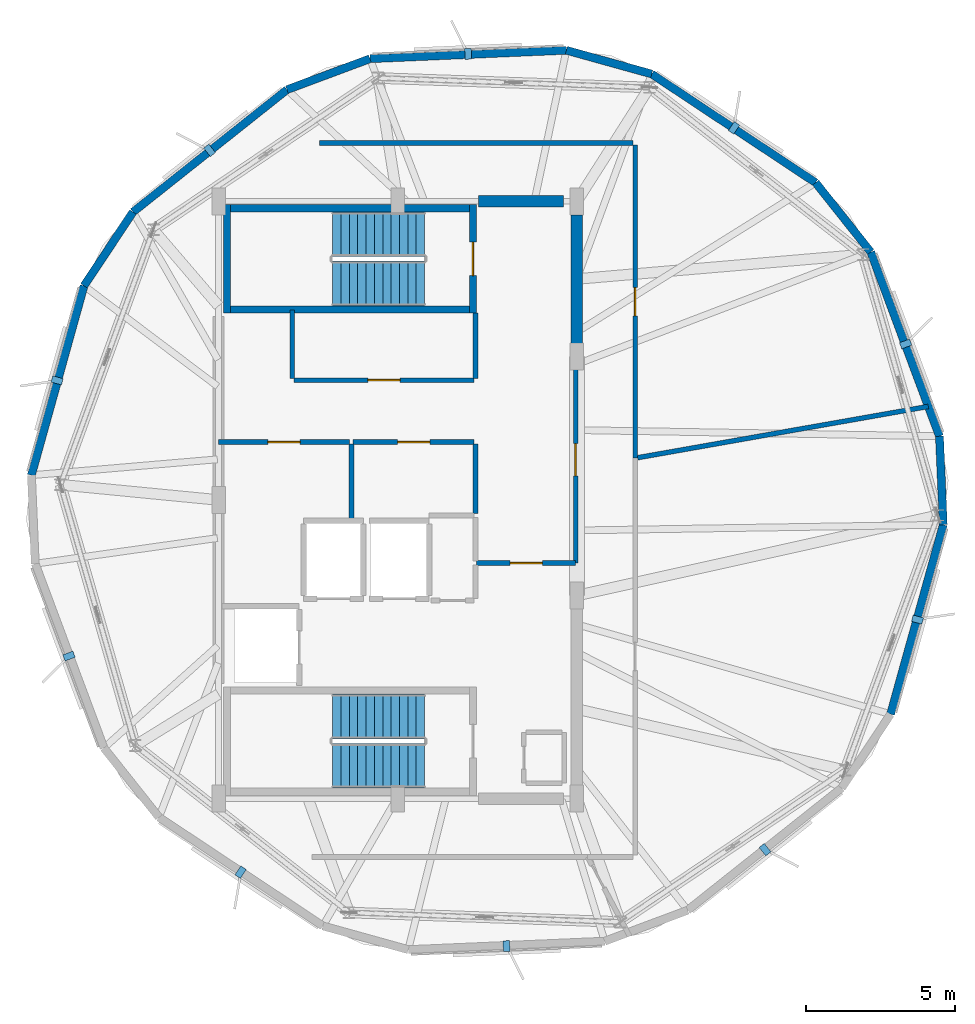
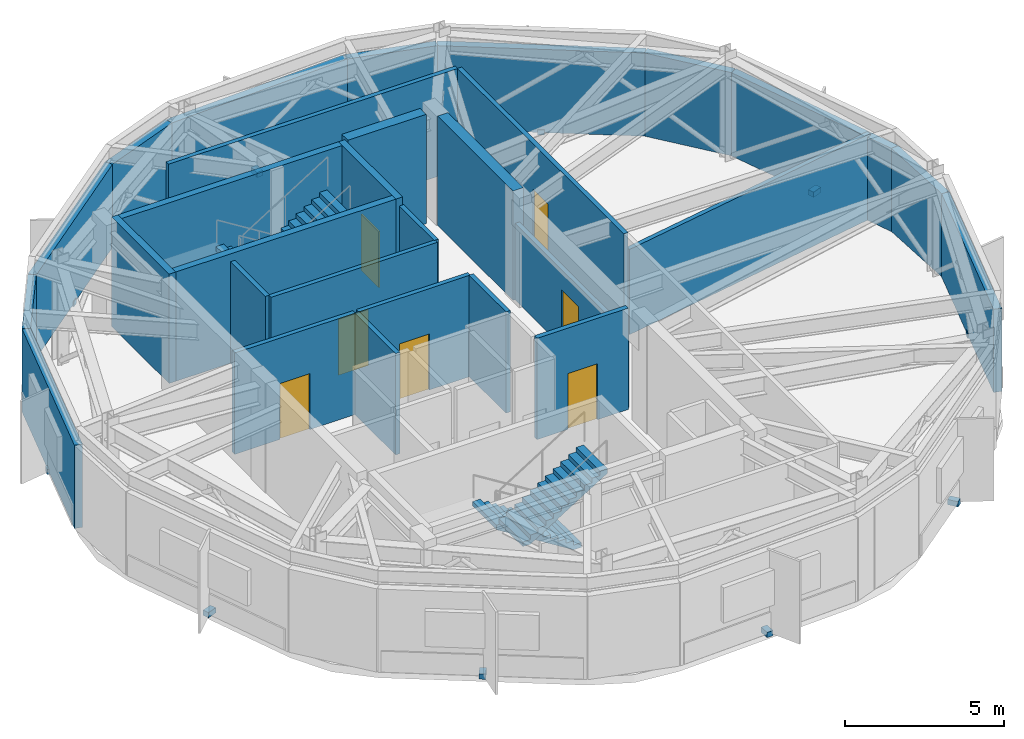
# One storey, part 4 of 6: 29 walls, 10 discrete accessories, 7 doors, 4 stair flights, 7 openings, 2 elements without a shape of their own.
"""IFC4 building model written with IfcOpenShell, lengths in metres."""

from ifc_helpers import new_model, si_unit, direction, frame, frame_2d, origin, origin_2d, place, context, subcontext, project, spatial, polyline, rectangle, outline, extrude, material, layer, layer_set, type_object, element, fill, aggregate, save


model = new_model("IFC4")

# Units and contexts
model_context = context("Model", 3, precision=1e-05, world=origin(), true_north=direction((0.0, 1.0)))
body_context = subcontext(model_context, "Body", "Model", "MODEL_VIEW")
ifc_project = project(units=[si_unit("LENGTHUNIT", "METRE"), si_unit("AREAUNIT", "SQUARE_METRE"), si_unit("VOLUMEUNIT", "CUBIC_METRE"), si_unit("PLANEANGLEUNIT", "RADIAN"), si_unit("MASSUNIT", "GRAM", prefix="KILO")], contexts=[model_context])

# Site, building, storey
site_placement = place(None, origin())
site = spatial("IfcSite", under=ifc_project, at=site_placement, CompositionType="ELEMENT")
building_placement = place(site_placement, origin())
building = spatial("IfcBuilding", under=site, at=building_placement, Name="Soratama Intermodal Tower", CompositionType="ELEMENT")
storey_placement = place(building_placement, frame((0.0, 0.0, 309.85009765625)))
storey = spatial("IfcBuildingStorey", under=building, at=storey_placement, Name="L78", CompositionType="ELEMENT", Elevation=309.85009765625)

# Walls
ifc_material_1 = material(Name="Concrete f'c 42 MPa", Category="concrete")
ifc_layer_1 = layer(ifc_material_1, 0.27001953125)
ifc_layer_set_1 = layer_set([ifc_layer_1], Name="Concrete f'c 42 MPa")
wall_type_1 = type_object("IfcWallType", Name="EW-CRN-270", PredefinedType="SOLIDWALL", material=ifc_layer_set_1)
wall_1_placement = place(storey_placement, frame((37.670166015625, 39.776611328125, 0.0), z_axis=(0.0, 0.0, 1.0), x_axis=(-0.936896155524, -0.349607771316, 0.0)))
element("IfcWall", 1, at=wall_1_placement, inside=storey, type_object=wall_type_1, Name="L78 Corner Closure Wall 01", PredefinedType="SOLIDWALL", context=body_context, shape_type="SweptSolid", body=[
    extrude(rectangle(XDim=2.966552734375, YDim=0.27001953125, at=frame_2d((1.4833984375, 0.0))), origin(), (0.0, 0.0, 1.0), 3.19482421875),
])
wall_2_placement = place(storey_placement, frame((44.248046875, 40.05908203125, 0.0), z_axis=(0.0, 0.0, 1.0), x_axis=(-0.999079243743, -0.042902968675, 0.0)))
element("IfcWall", 2, at=wall_2_placement, inside=storey, type_object=wall_type_1, Name="L78 Plant Wall F01", PredefinedType="SOLIDWALL", context=body_context, shape_type="SweptSolid", body=[
    extrude(rectangle(XDim=6.583984375, YDim=0.27001953125, at=frame_2d((3.2919921875, 0.0))), origin(), (0.0, 0.0, 1.0), 3.19482421875),
])
wall_3_placement = place(storey_placement, frame((29.7353515625, 34.64453125, 0.0), z_axis=(0.0, 0.0, 1.0), x_axis=(-0.552533308553, -0.833490817549, 0.0)))
element("IfcWall", 3, at=wall_3_placement, inside=storey, type_object=wall_type_1, Name="L78 Corner Closure Wall 02", PredefinedType="SOLIDWALL", context=body_context, shape_type="SweptSolid", body=[
    extrude(rectangle(XDim=2.966552734375, YDim=0.27001953125, at=frame_2d((1.4833984375, 0.0))), origin(), (0.0, 0.0, 1.0), 3.19482421875),
])
for number, where, z_axis, x_axis, name in (
    (4, (34.890869140625, 38.739501953125, 0.0), (0.0, 0.0, 1.0), (-0.78304551323, -0.621964407511, 0.0), "L78 Plant Wall F02"),
    (5, (28.09619140625, 32.171875, 0.0), (0.0, 0.0, 1.0), (-0.267911603024, -0.963443497547, 0.0), "L78 Plant Wall F03"),
):
    element("IfcWall", number, at=place(storey_placement, frame(where, z_axis=z_axis, x_axis=x_axis)), inside=storey, type_object=wall_type_1, Name=name, PredefinedType="SOLIDWALL", context=body_context, shape_type="SweptSolid", body=[
        extrude(rectangle(XDim=6.583984375, YDim=0.27001953125, at=frame_2d((3.2919921875, 0.0))), origin(), (0.0, 0.0, 1.0), 3.19482421875),
    ])
wall_4_placement = place(storey_placement, frame((56.86767578125, 24.17138671875, 0.0), z_axis=(0.0, 0.0, 1.0), x_axis=(-0.042880039447, 0.999080228118, 0.0)))
element("IfcWall", 6, at=wall_4_placement, inside=storey, type_object=wall_type_1, Name="L78 Corner Closure Wall 08", PredefinedType="SOLIDWALL", context=body_context, shape_type="SweptSolid", body=[
    extrude(rectangle(XDim=2.96630859375, YDim=0.27001953125, at=frame_2d((1.483154296875, 0.0))), origin(), (0.0, 0.0, 1.0), 3.19482421875),
])
wall_5_placement = place(storey_placement, frame((55.103759765625, 17.828125, 0.0), z_axis=(0.0, 0.0, 1.0), x_axis=(0.267911603024, 0.963443497547, 0.0)))
element("IfcWall", 7, at=wall_5_placement, inside=storey, type_object=wall_type_1, Name="L78 Plant Wall F08", PredefinedType="SOLIDWALL", context=body_context, shape_type="SweptSolid", body=[
    extrude(rectangle(XDim=6.583984375, YDim=0.27001953125, at=frame_2d((3.2919921875, 0.0))), origin(), (0.0, 0.0, 1.0), 3.19482421875),
])
wall_6_placement = place(storey_placement, frame((54.43896484375, 33.3037109375, 0.0), z_axis=(0.0, 0.0, 1.0), x_axis=(-0.621981590469, 0.783031864688, 0.0)))
element("IfcWall", 8, at=wall_6_placement, inside=storey, type_object=wall_type_1, Name="L78 Corner Closure Wall 09", PredefinedType="SOLIDWALL", context=body_context, shape_type="SweptSolid", body=[
    extrude(rectangle(XDim=2.966552734375, YDim=0.27001953125, at=frame_2d((1.4833984375, 0.0))), origin(), (0.0, 0.0, 1.0), 3.19482421875),
])
wall_7_placement = place(storey_placement, frame((56.740478515625, 27.135009765625, 0.0), z_axis=(0.0, 0.0, 1.0), x_axis=(-0.349558456509, 0.936914556127, 0.0)))
element("IfcWall", 9, at=wall_7_placement, inside=storey, type_object=wall_type_1, Name="L78 Plant Wall F09", PredefinedType="SOLIDWALL", context=body_context, shape_type="SweptSolid", body=[
    extrude(rectangle(XDim=6.583984375, YDim=0.27001953125, at=frame_2d((3.2919921875, 0.0))), origin(), (0.0, 0.0, 1.0), 3.19482421875),
])
wall_8_placement = place(storey_placement, frame((47.106201171875, 39.264404296875, 0.0), z_axis=(0.0, 0.0, 1.0), x_axis=(-0.963453034004, 0.267877306371, 0.0)))
element("IfcWall", 10, at=wall_8_placement, inside=storey, type_object=wall_type_1, Name="L78 Corner Closure Wall 10", PredefinedType="SOLIDWALL", context=body_context, shape_type="SweptSolid", body=[
    extrude(rectangle(XDim=2.966552734375, YDim=0.27001953125, at=frame_2d((1.4833984375, 0.0))), origin(), (0.0, 0.0, 1.0), 3.19482421875),
])
wall_9_placement = place(storey_placement, frame((52.59375, 35.626708984375, 0.0), z_axis=(0.0, 0.0, 1.0), x_axis=(-0.833496513383, 0.55252471635, 0.0)))
element("IfcWall", 11, at=wall_9_placement, inside=storey, type_object=wall_type_1, Name="L78 Plant Wall F10", PredefinedType="SOLIDWALL", context=body_context, shape_type="SweptSolid", body=[
    extrude(rectangle(XDim=6.583740234375, YDim=0.27001953125, at=frame_2d((3.2919921875, 0.0))), origin(), (0.0, 0.0, 1.0), 3.19482421875),
])

# Wall, opening, door
ifc_material_2 = material(Name="Fire-rated gypsum stud partition", Category="concrete")
ifc_layer_2 = layer(ifc_material_2, 0.159912109375)
ifc_layer_set_2 = layer_set([ifc_layer_2], Name="Fire-rated gypsum stud partition")
wall_type_2 = type_object("IfcWallType", Name="IW-PART-R160", PredefinedType="PARTITIONING", material=ifc_layer_set_2)
wall_10_placement = place(storey_placement, frame((46.550048828125, 36.8798828125, 0.0), z_axis=(0.0, 0.0, 1.0), x_axis=(0.0, -1.0, 0.0)))
wall_10 = element("IfcWall", 12, at=wall_10_placement, inside=storey, type_object=wall_type_2, Name="L78 Partition W-L78-TP002", PredefinedType="PARTITIONING", context=body_context, shape_type="SweptSolid", body=[
    extrude(rectangle(XDim=10.47900390625, YDim=0.159912109375, at=frame_2d((5.239501953125, 0.0))), origin(), (0.0, 0.0, 1.0), 3.89501953125),
])
opening_1_placement = place(wall_10_placement, frame((4.764892578125, 0.0, 0.0)))
opening_1 = element("IfcOpeningElement", 13, at=opening_1_placement, cuts=wall_10, Name="Opening ID-3", PredefinedType="OPENING", context=body_context, shape_type="SweptSolid", body=[
    extrude(rectangle(XDim=0.949951171875, YDim=2.14990234375, at=frame_2d((0.47509765625, 1.074951171875))), frame((0.0, 0.08984375, 0.0), z_axis=(0.0, -1.0, 0.0), x_axis=(1.0, 0.0, 0.0)), (0.0, 0.0, 1.0), 0.179931640625),
])
ifc_material_3 = material(Name="Solid hardwood acoustic door", Category="wood")
door_type_1 = type_object("IfcDoorType", Name="DR-ROOM-950", OperationType="NOTDEFINED", PredefinedType="DOOR", material=ifc_material_3)
door_1_placement = place(opening_1_placement, origin())
door_1 = element("IfcDoor", 14, at=door_1_placement, inside=storey, type_object=door_type_1, Name="L78 Door D-L78-TP002", OperationType="SINGLE_SWING_LEFT", OverallHeight=2.14990234375, OverallWidth=0.949951171875, PredefinedType="DOOR", context=body_context, shape_type="SweptSolid", body=[
    extrude(rectangle(XDim=0.949951171875, YDim=2.14990234375, at=frame_2d((0.47509765625, 1.074951171875))), frame((0.0, 0.02490234375, 0.0), z_axis=(0.0, -1.0, 0.0), x_axis=(1.0, 0.0, 0.0)), (0.0, 0.0, 1.0), 0.050048828125),
])
fill(opening_1, door_1)

# Wall
wall_11_placement = place(storey_placement, frame((56.367919921875, 28.133056640625, 0.0), z_axis=(0.0, 0.0, 1.0), x_axis=(-0.984798721817, -0.173699388337, 0.0)))
element("IfcWall", 15, at=wall_11_placement, inside=storey, type_object=wall_type_2, Name="L78 Partition W-L78-TP003", PredefinedType="PARTITIONING", context=body_context, shape_type="SweptSolid", body=[
    extrude(rectangle(XDim=9.885009765625, YDim=0.159912109375, at=frame_2d((4.9423828125, 0.0))), origin(), (0.0, 0.0, 1.0), 3.27294921875),
])

# Wall, opening, door
wall_12_placement = place(storey_placement, frame((44.56005859375, 29.800048828125, 0.0), z_axis=(0.0, 0.0, 1.0), x_axis=(0.0, -1.0, 0.0)))
wall_12 = element("IfcWall", 16, at=wall_12_placement, inside=storey, type_object=wall_type_2, Name="L78 Partition W-L78-TP004", PredefinedType="PARTITIONING", context=body_context, shape_type="SweptSolid", body=[
    extrude(rectangle(XDim=6.91015625, YDim=0.159912109375, at=frame_2d((3.455078125, 0.0))), origin(), (0.0, 0.0, 1.0), 2.934814453125),
])
opening_2_placement = place(wall_12_placement, frame((2.9150390625, 0.0, 0.0)))
opening_2 = element("IfcOpeningElement", 17, at=opening_2_placement, cuts=wall_12, Name="Opening ID-1", PredefinedType="OPENING", context=body_context, shape_type="SweptSolid", body=[
    extrude(rectangle(XDim=1.080078125, YDim=2.14990234375, at=frame_2d((0.5400390625, 1.074951171875))), frame((0.0, 0.08984375, 0.0), z_axis=(0.0, -1.0, 0.0), x_axis=(1.0, 0.0, 0.0)), (0.0, 0.0, 1.0), 0.179931640625),
])
ifc_material_4 = material(Name="Solid hardwood acoustic door", Category="wood")
door_type_2 = type_object("IfcDoorType", Name="DR-LOB-FD60", OperationType="NOTDEFINED", PredefinedType="DOOR", material=ifc_material_4)
door_2_placement = place(opening_2_placement, origin())
door_2 = element("IfcDoor", 18, at=door_2_placement, inside=storey, type_object=door_type_2, Name="L78 Door D-L78-TP003", OperationType="SINGLE_SWING_RIGHT", OverallHeight=2.14990234375, OverallWidth=1.080078125, PredefinedType="DOOR", context=body_context, shape_type="SweptSolid", body=[
    extrude(rectangle(XDim=1.080078125, YDim=2.14990234375, at=frame_2d((0.5400390625, 1.074951171875))), frame((0.0, 0.02490234375, 0.0), z_axis=(0.0, -1.0, 0.0), x_axis=(1.0, 0.0, 0.0)), (0.0, 0.0, 1.0), 0.050048828125),
])
fill(opening_2, door_2)

wall_13_placement = place(storey_placement, frame((35.1201171875, 29.010009765625, 0.0), z_axis=(0.0, 0.0, 1.0), x_axis=(1.0, 0.0, 0.0)))
wall_13 = element("IfcWall", 19, at=wall_13_placement, inside=storey, type_object=wall_type_2, Name="L78 Partition W-L78-TP005", PredefinedType="PARTITIONING", context=body_context, shape_type="SweptSolid", body=[
    extrude(rectangle(XDim=6.039794921875, YDim=0.159912109375, at=frame_2d((3.02001953125, 0.0))), origin(), (0.0, 0.0, 1.0), 3.89501953125),
])
opening_3_placement = place(wall_13_placement, frame((2.47998046875, 0.0, 0.0)))
opening_3 = element("IfcOpeningElement", 20, at=opening_3_placement, cuts=wall_13, Name="Opening ID-1", PredefinedType="OPENING", context=body_context, shape_type="SweptSolid", body=[
    extrude(rectangle(XDim=1.080078125, YDim=2.14990234375, at=frame_2d((0.5400390625, 1.074951171875))), frame((0.0, 0.08984375, 0.0), z_axis=(0.0, -1.0, 0.0), x_axis=(1.0, 0.0, 0.0)), (0.0, 0.0, 1.0), 0.179931640625),
])
door_3_placement = place(opening_3_placement, origin())
door_3 = element("IfcDoor", 21, at=door_3_placement, inside=storey, type_object=door_type_2, Name="L78 Door D-L78-TP004", OperationType="SINGLE_SWING_LEFT", OverallHeight=2.14990234375, OverallWidth=1.080078125, PredefinedType="DOOR", context=body_context, shape_type="SweptSolid", body=[
    extrude(rectangle(XDim=1.080078125, YDim=2.14990234375, at=frame_2d((0.5400390625, 1.074951171875))), frame((0.0, 0.02490234375, 0.0), z_axis=(0.0, -1.0, 0.0), x_axis=(1.0, 0.0, 0.0)), (0.0, 0.0, 1.0), 0.050048828125),
])
fill(opening_3, door_3)

wall_14_placement = place(storey_placement, frame((36.989990234375, 26.93994140625, 0.0), z_axis=(0.0, 0.0, 1.0), x_axis=(-1.0, 0.0, 0.0)))
wall_14 = element("IfcWall", 22, at=wall_14_placement, inside=storey, type_object=wall_type_2, Name="L78 Partition W-L78-TP006", PredefinedType="PARTITIONING", context=body_context, shape_type="SweptSolid", body=[
    extrude(rectangle(XDim=4.389892578125, YDim=0.159912109375, at=frame_2d((2.19482421875, 0.0))), origin(), (0.0, 0.0, 1.0), 3.89501953125),
])
opening_4_placement = place(wall_14_placement, frame((1.655029296875, 0.0, 0.0)))
opening_4 = element("IfcOpeningElement", 23, at=opening_4_placement, cuts=wall_14, Name="Opening ID-1", PredefinedType="OPENING", context=body_context, shape_type="SweptSolid", body=[
    extrude(rectangle(XDim=1.080078125, YDim=2.14990234375, at=frame_2d((0.5400390625, 1.074951171875))), frame((0.0, 0.08984375, 0.0), z_axis=(0.0, -1.0, 0.0), x_axis=(1.0, 0.0, 0.0)), (0.0, 0.0, 1.0), 0.179931640625),
])
door_4_placement = place(opening_4_placement, origin())
door_4 = element("IfcDoor", 24, at=door_4_placement, inside=storey, type_object=door_type_2, Name="L78 Door D-L78-TP005", OperationType="SINGLE_SWING_RIGHT", OverallHeight=2.14990234375, OverallWidth=1.080078125, PredefinedType="DOOR", context=body_context, shape_type="SweptSolid", body=[
    extrude(rectangle(XDim=1.080078125, YDim=2.14990234375, at=frame_2d((0.5400390625, 1.074951171875))), frame((0.0, 0.02490234375, 0.0), z_axis=(0.0, -1.0, 0.0), x_axis=(1.0, 0.0, 0.0)), (0.0, 0.0, 1.0), 0.050048828125),
])
fill(opening_4, door_4)

wall_15_placement = place(storey_placement, frame((41.159912109375, 26.93994140625, 0.0), z_axis=(0.0, 0.0, 1.0), x_axis=(-1.0, 0.0, 0.0)))
wall_15 = element("IfcWall", 25, at=wall_15_placement, inside=storey, type_object=wall_type_2, Name="L78 Partition W-L78-TP007", PredefinedType="PARTITIONING", context=body_context, shape_type="SweptSolid", body=[
    extrude(rectangle(XDim=4.0498046875, YDim=0.159912109375, at=frame_2d((2.02490234375, 0.0))), origin(), (0.0, 0.0, 1.0), 3.89501953125),
])
opening_5_placement = place(wall_15_placement, frame((1.485107421875, 0.0, 0.0)))
opening_5 = element("IfcOpeningElement", 26, at=opening_5_placement, cuts=wall_15, Name="Opening ID-1", PredefinedType="OPENING", context=body_context, shape_type="SweptSolid", body=[
    extrude(rectangle(XDim=1.080078125, YDim=2.14990234375, at=frame_2d((0.5400390625, 1.074951171875))), frame((0.0, 0.08984375, 0.0), z_axis=(0.0, -1.0, 0.0), x_axis=(1.0, 0.0, 0.0)), (0.0, 0.0, 1.0), 0.179931640625),
])
door_5_placement = place(opening_5_placement, origin())
door_5 = element("IfcDoor", 27, at=door_5_placement, inside=storey, type_object=door_type_2, Name="L78 Door D-L78-TP006", OperationType="SINGLE_SWING_LEFT", OverallHeight=2.14990234375, OverallWidth=1.080078125, PredefinedType="DOOR", context=body_context, shape_type="SweptSolid", body=[
    extrude(rectangle(XDim=1.080078125, YDim=2.14990234375, at=frame_2d((0.5400390625, 1.074951171875))), frame((0.0, 0.02490234375, 0.0), z_axis=(0.0, -1.0, 0.0), x_axis=(1.0, 0.0, 0.0)), (0.0, 0.0, 1.0), 0.050048828125),
])
fill(opening_5, door_5)

# Walls
wall_16_placement = place(storey_placement, frame((37.050048828125, 26.8798828125, 0.0), z_axis=(0.0, 0.0, 1.0), x_axis=(0.0, -1.0, 0.0)))
element("IfcWall", 28, at=wall_16_placement, inside=storey, type_object=wall_type_2, Name="L78 Partition W-L78-TP010", PredefinedType="PARTITIONING", context=body_context, shape_type="SweptSolid", body=[
    extrude(rectangle(XDim=2.579833984375, YDim=0.159912109375, at=frame_2d((1.2900390625, 0.0))), origin(), (0.0, 0.0, 1.0), 3.89501953125),
])
wall_17_placement = place(storey_placement, frame((41.199951171875, 24.550048828125, 0.0), z_axis=(0.0, 0.0, 1.0), x_axis=(0.0, 1.0, 0.0)))
element("IfcWall", 29, at=wall_17_placement, inside=storey, type_object=wall_type_2, Name="L78 Partition W-L78-TP011", PredefinedType="PARTITIONING", context=body_context, shape_type="SweptSolid", body=[
    extrude(rectangle(XDim=2.329833984375, YDim=0.159912109375, at=frame_2d((1.1650390625, 0.0))), origin(), (0.0, 0.0, 1.0), 3.89501953125),
])
wall_18_placement = place(storey_placement, frame((35.070068359375, 31.360107421875, 0.0), z_axis=(0.0, 0.0, 1.0), x_axis=(0.0, -1.0, 0.0)))
element("IfcWall", 30, at=wall_18_placement, inside=storey, type_object=wall_type_2, Name="L78 Partition W-L78-TP012", PredefinedType="PARTITIONING", context=body_context, shape_type="SweptSolid", body=[
    extrude(rectangle(XDim=2.2900390625, YDim=0.159912109375, at=frame_2d((1.14501953125, 0.0))), origin(), (0.0, 0.0, 1.0), 3.89501953125),
])
wall_19_placement = place(storey_placement, frame((41.199951171875, 29.070068359375, 0.0), z_axis=(0.0, 0.0, 1.0), x_axis=(0.0, 1.0, 0.0)))
element("IfcWall", 31, at=wall_19_placement, inside=storey, type_object=wall_type_2, Name="L78 Partition W-L78-TP013", PredefinedType="PARTITIONING", context=body_context, shape_type="SweptSolid", body=[
    extrude(rectangle(XDim=2.18994140625, YDim=0.159912109375, at=frame_2d((1.094970703125, 0.0))), origin(), (0.0, 0.0, 1.0), 3.89501953125),
])
wall_20_placement = place(storey_placement, frame((35.98193359375, 36.949951171875, 0.0), z_axis=(0.0, 0.0, 1.0), x_axis=(1.0, 0.0, 0.0)))
element("IfcWall", 32, at=wall_20_placement, inside=storey, type_object=wall_type_2, Name="L78 Partition W-L78-TP019", PredefinedType="PARTITIONING", context=body_context, shape_type="SweptSolid", body=[
    extrude(rectangle(XDim=10.498046875, YDim=0.159912109375, at=frame_2d((5.2490234375, 0.0))), origin(), (0.0, 0.0, 1.0), 3.89501953125),
])

# Wall, opening, door
ifc_material_5 = material(Name="Fire-rated gypsum stud partition", Category="concrete")
ifc_layer_3 = layer(ifc_material_5, 0.169921875)
ifc_layer_set_3 = layer_set([ifc_layer_3], Name="Fire-rated gypsum stud partition")
wall_type_3 = type_object("IfcWallType", Name="IW-PART-R170", PredefinedType="PARTITIONING", material=ifc_layer_set_3)
wall_21_placement = place(storey_placement, frame((41.239990234375, 22.889892578125, 0.0), z_axis=(0.0, 0.0, 1.0), x_axis=(1.0, 0.0, 0.0)))
wall_21 = element("IfcWall", 33, at=wall_21_placement, inside=storey, type_object=wall_type_3, Name="L78 Partition W-L78-TP008", PredefinedType="PARTITIONING", context=body_context, shape_type="SweptSolid", body=[
    extrude(rectangle(XDim=3.320068359375, YDim=0.169921875, at=frame_2d((1.66015625, 0.0))), origin(), (0.0, 0.0, 1.0), 3.89501953125),
])
opening_6_placement = place(wall_21_placement, frame((1.1201171875, 0.0, 0.0)))
opening_6 = element("IfcOpeningElement", 34, at=opening_6_placement, cuts=wall_21, Name="Opening ID-0", PredefinedType="OPENING", context=body_context, shape_type="SweptSolid", body=[
    extrude(rectangle(XDim=1.080078125, YDim=2.14990234375, at=frame_2d((0.5400390625, 1.074951171875))), frame((0.0, 0.094970703125, 0.0), z_axis=(0.0, -1.0, 0.0), x_axis=(1.0, 0.0, 0.0)), (0.0, 0.0, 1.0), 0.18994140625),
])
ifc_material_6 = material(Name="Solid hardwood acoustic door", Category="wood")
door_type_3 = type_object("IfcDoorType", Name="DR-LOB-FD90", OperationType="NOTDEFINED", PredefinedType="DOOR", material=ifc_material_6)
door_6_placement = place(opening_6_placement, origin())
door_6 = element("IfcDoor", 35, at=door_6_placement, inside=storey, type_object=door_type_3, Name="L78 Door D-L78-TP007", OperationType="SINGLE_SWING_RIGHT", OverallHeight=2.14990234375, OverallWidth=1.080078125, PredefinedType="DOOR", context=body_context, shape_type="SweptSolid", body=[
    extrude(rectangle(XDim=1.080078125, YDim=2.14990234375, at=frame_2d((0.5400390625, 1.074951171875))), frame((0.0, 0.02490234375, 0.0), z_axis=(0.0, -1.0, 0.0), x_axis=(1.0, 0.0, 0.0)), (0.0, 0.0, 1.0), 0.050048828125),
])
fill(opening_6, door_6)

# Walls
ifc_material_7 = material(Name="Concrete f'c 56 MPa", Category="concrete")
ifc_layer_4 = layer(ifc_material_7, 0.3798828125)
ifc_layer_set_4 = layer_set([ifc_layer_4], Name="Concrete f'c 56 MPa")
wall_type_4 = type_object("IfcWallType", Name="SW-CORE-380", PredefinedType="SHEAR", material=ifc_layer_set_4)
wall_22_placement = place(storey_placement, frame((41.300048828125, 35.0, 0.0), z_axis=(0.0, 0.0, 1.0), x_axis=(1.0, 0.0, 0.0)))
element("IfcWall", 36, at=wall_22_placement, inside=storey, type_object=wall_type_4, Name="L78 Core Shear Wall CW-NE", PredefinedType="SHEAR", context=body_context, shape_type="SweptSolid", body=[
    extrude(rectangle(XDim=2.849853515625, YDim=0.3798828125, at=frame_2d((1.4248046875, 0.0))), origin(), (0.0, 0.0, 1.0), 4.199951171875),
])
wall_23_placement = place(storey_placement, frame((44.60009765625, 29.800048828125, 0.0), z_axis=(0.0, 0.0, 1.0), x_axis=(0.0, 1.0, 0.0)))
element("IfcWall", 37, at=wall_23_placement, inside=storey, type_object=wall_type_4, Name="L78 Core Shear Wall CW-EN", PredefinedType="SHEAR", context=body_context, shape_type="SweptSolid", body=[
    extrude(rectangle(XDim=4.75, YDim=0.3798828125, at=frame_2d((2.375, 0.0))), origin(), (0.0, 0.0, 1.0), 4.199951171875),
])
ifc_material_8 = material(Name="Concrete f'c 56 MPa", Category="concrete")
ifc_layer_5 = layer(ifc_material_8, 0.239990234375)
ifc_layer_set_5 = layer_set([ifc_layer_5], Name="Concrete f'c 56 MPa")
wall_type_5 = type_object("IfcWallType", Name="SW-STAIR-240", PredefinedType="SHEAR", material=ifc_layer_set_5)
wall_24_placement = place(storey_placement, frame((32.8798828125, 31.260009765625, 0.0), z_axis=(0.0, 0.0, 1.0), x_axis=(0.0, 1.0, 0.0)))
element("IfcWall", 38, at=wall_24_placement, inside=storey, type_object=wall_type_5, Name="L78 ST-2 Shaft Shear Wall W", PredefinedType="SHEAR", context=body_context, shape_type="SweptSolid", body=[
    extrude(rectangle(XDim=3.6298828125, YDim=0.239990234375, at=frame_2d((1.81494140625, 0.0))), origin(), (0.0, 0.0, 1.0), 4.199951171875),
])

# Wall, opening, door
wall_25_placement = place(storey_placement, frame((41.1201171875, 31.260009765625, 0.0), z_axis=(0.0, 0.0, 1.0), x_axis=(0.0, 1.0, 0.0)))
wall_25 = element("IfcWall", 39, at=wall_25_placement, inside=storey, type_object=wall_type_5, Name="L78 ST-2 Shaft Shear Wall E", PredefinedType="SHEAR", context=body_context, shape_type="SweptSolid", body=[
    extrude(rectangle(XDim=3.6298828125, YDim=0.239990234375, at=frame_2d((1.81494140625, 0.0))), origin(), (0.0, 0.0, 1.0), 4.199951171875),
])
opening_7_placement = place(wall_25_placement, frame((1.2548828125, 0.0, 0.0)))
opening_7 = element("IfcOpeningElement", 40, at=opening_7_placement, cuts=wall_25, Name="Opening SD-1", PredefinedType="OPENING", context=body_context, shape_type="SweptSolid", body=[
    extrude(rectangle(XDim=1.1201171875, YDim=2.14990234375, at=frame_2d((0.56005859375, 1.074951171875))), frame((0.0, 0.1298828125, 0.0), z_axis=(0.0, -1.0, 0.0), x_axis=(1.0, 0.0, 0.0)), (0.0, 0.0, 1.0), 0.260009765625),
])
ifc_material_9 = material(Name="Steel fire door", Category="steel")
door_type_4 = type_object("IfcDoorType", Name="DR-STAIR-FD90", OperationType="NOTDEFINED", PredefinedType="DOOR", material=ifc_material_9)
door_7_placement = place(opening_7_placement, origin())
door_7 = element("IfcDoor", 41, at=door_7_placement, inside=storey, type_object=door_type_4, Name="L78 ST-2 Exit Stair Door", OperationType="SINGLE_SWING_RIGHT", OverallHeight=2.14990234375, OverallWidth=1.1201171875, PredefinedType="DOOR", context=body_context, shape_type="SweptSolid", body=[
    extrude(rectangle(XDim=1.1201171875, YDim=2.14990234375, at=frame_2d((0.56005859375, 1.074951171875))), frame((0.0, 0.02490234375, 0.0), z_axis=(0.0, -1.0, 0.0), x_axis=(1.0, 0.0, 0.0)), (0.0, 0.0, 1.0), 0.050048828125),
])
fill(opening_7, door_7)

# Walls
for number, where, z_axis, x_axis, name in (
    (42, (33.0, 31.3798828125, 0.0), (0.0, 0.0, 1.0), (1.0, 0.0, 0.0), "L78 ST-2 Shaft Shear Wall S"),
    (43, (33.0, 34.77001953125, 0.0), (0.0, 0.0, 1.0), (1.0, 0.0, 0.0), "L78 ST-2 Shaft Shear Wall N"),
):
    element("IfcWall", number, at=place(storey_placement, frame(where, z_axis=z_axis, x_axis=x_axis)), inside=storey, type_object=wall_type_5, Name=name, PredefinedType="SHEAR", context=body_context, shape_type="SweptSolid", body=[
        extrude(rectangle(XDim=8.0, YDim=0.239990234375, at=frame_2d((4.0, 0.0))), origin(), (0.0, 0.0, 1.0), 4.199951171875),
    ])

# Stair, stair flights
ifc_material_10 = material(Name="Concrete f'c 42 MPa", Category="concrete")
stair_type = type_object("IfcStairType", Name="ST-CORE-DOGLEG", PredefinedType="HALF_TURN_STAIR", material=ifc_material_10)
stair_1_placement = place(storey_placement, origin())
stair_1 = element("IfcStair", 44, at=stair_1_placement, inside=storey, type_object=stair_type, Name="L78 ST-1", PredefinedType="HALF_TURN_STAIR")
ifc_material_11 = material(Name="Precast concrete f'c 40 MPa", Category="concrete")
ifc_layer_6 = layer(ifc_material_11, 0.199951171875)
ifc_layer_set_6 = layer_set([ifc_layer_6], Name="Precast concrete f'c 40 MPa")
stair_flight_type = type_object("IfcStairFlightType", Name="SF-FLIGHT-RC", PredefinedType="STRAIGHT", material=ifc_layer_set_6)
stair_flight_1_placement = place(storey_placement, frame((39.5, 17.75, 0.0), z_axis=(0.0, 0.0, 1.0), x_axis=(-1.0, 0.0, 0.0)))
stair_flight_1 = element("IfcStairFlight", 45, at=stair_flight_1_placement, type_object=stair_flight_type, Name="ST-1 flight 1", NumberOfRisers=12, NumberOfTreads=11, PredefinedType="STRAIGHT", RiserHeight=0.175, TreadLength=0.28, context=body_context, shape_type="SweptSolid", body=[
    extrude(outline(polyline([(0.0, 0.0), (0.0, 0.175048828125), (0.280029296875, 0.175048828125), (0.280029296875, 0.35009765625), (0.56005859375, 0.35009765625), (0.56005859375, 0.52490234375), (0.840087890625, 0.52490234375), (0.840087890625, 0.699951171875), (1.1201171875, 0.699951171875), (1.1201171875, 0.875), (1.39990234375, 0.875), (1.39990234375, 1.050048828125), (1.679931640625, 1.050048828125), (1.679931640625, 1.22509765625), (1.9599609375, 1.22509765625), (1.9599609375, 1.39990234375), (2.239990234375, 1.39990234375), (2.239990234375, 1.574951171875), (2.52001953125, 1.574951171875), (2.52001953125, 1.75), (2.800048828125, 1.75), (2.800048828125, 1.925048828125), (3.080078125, 1.925048828125), (3.080078125, 2.10009765625), (3.080078125, 1.748291015625), (0.28271484375, 0.0), (0.0, 0.0)])), frame((0.0, 0.75, 0.0), z_axis=(0.0, -1.0, 0.0), x_axis=(1.0, 0.0, 0.0)), (0.0, 0.0, 1.0), 1.5),
])
stair_flight_2_placement = place(storey_placement, frame((36.419921875, 16.10009765625, 2.099853515625), z_axis=(0.0, 0.0, 1.0), x_axis=(1.0, 0.0, 0.0)))
stair_flight_2 = element("IfcStairFlight", 46, at=stair_flight_2_placement, type_object=stair_flight_type, Name="ST-1 flight 2", NumberOfRisers=12, NumberOfTreads=11, PredefinedType="STRAIGHT", RiserHeight=0.175, TreadLength=0.28, context=body_context, shape_type="SweptSolid", body=[
    extrude(outline(polyline([(0.0, 0.0), (0.0, 0.175048828125), (0.280029296875, 0.175048828125), (0.280029296875, 0.35009765625), (0.56005859375, 0.35009765625), (0.56005859375, 0.52490234375), (0.840087890625, 0.52490234375), (0.840087890625, 0.699951171875), (1.1201171875, 0.699951171875), (1.1201171875, 0.875), (1.39990234375, 0.875), (1.39990234375, 1.050048828125), (1.679931640625, 1.050048828125), (1.679931640625, 1.22509765625), (1.9599609375, 1.22509765625), (1.9599609375, 1.39990234375), (2.239990234375, 1.39990234375), (2.239990234375, 1.574951171875), (2.52001953125, 1.574951171875), (2.52001953125, 1.75), (2.800048828125, 1.75), (2.800048828125, 1.925048828125), (3.080078125, 1.925048828125), (3.080078125, 2.10009765625), (3.080078125, 1.748291015625), (0.28271484375, 0.0), (0.0, 0.0)])), frame((0.0, 0.75, 0.0), z_axis=(0.0, -1.0, 0.0), x_axis=(1.0, 0.0, 0.0)), (0.0, 0.0, 1.0), 1.5),
])
aggregate(stair_1, [stair_flight_1, stair_flight_2])

stair_2_placement = place(storey_placement, origin())
stair_2 = element("IfcStair", 47, at=stair_2_placement, inside=storey, type_object=stair_type, Name="L78 ST-2", PredefinedType="HALF_TURN_STAIR")
stair_flight_3_placement = place(storey_placement, frame((39.5, 33.89990234375, 0.0), z_axis=(0.0, 0.0, 1.0), x_axis=(-1.0, 0.0, 0.0)))
stair_flight_3 = element("IfcStairFlight", 48, at=stair_flight_3_placement, type_object=stair_flight_type, Name="ST-2 flight 1", NumberOfRisers=12, NumberOfTreads=11, PredefinedType="STRAIGHT", RiserHeight=0.175, TreadLength=0.28, context=body_context, shape_type="SweptSolid", body=[
    extrude(outline(polyline([(0.0, 0.0), (0.0, 0.175048828125), (0.280029296875, 0.175048828125), (0.280029296875, 0.35009765625), (0.56005859375, 0.35009765625), (0.56005859375, 0.52490234375), (0.840087890625, 0.52490234375), (0.840087890625, 0.699951171875), (1.1201171875, 0.699951171875), (1.1201171875, 0.875), (1.39990234375, 0.875), (1.39990234375, 1.050048828125), (1.679931640625, 1.050048828125), (1.679931640625, 1.22509765625), (1.9599609375, 1.22509765625), (1.9599609375, 1.39990234375), (2.239990234375, 1.39990234375), (2.239990234375, 1.574951171875), (2.52001953125, 1.574951171875), (2.52001953125, 1.75), (2.800048828125, 1.75), (2.800048828125, 1.925048828125), (3.080078125, 1.925048828125), (3.080078125, 2.10009765625), (3.080078125, 1.748291015625), (0.28271484375, 0.0), (0.0, 0.0)])), frame((0.0, 0.75, 0.0), z_axis=(0.0, -1.0, 0.0), x_axis=(1.0, 0.0, 0.0)), (0.0, 0.0, 1.0), 1.5),
])
stair_flight_4_placement = place(storey_placement, frame((36.419921875, 32.25, 2.099853515625), z_axis=(0.0, 0.0, 1.0), x_axis=(1.0, 0.0, 0.0)))
stair_flight_4 = element("IfcStairFlight", 49, at=stair_flight_4_placement, type_object=stair_flight_type, Name="ST-2 flight 2", NumberOfRisers=12, NumberOfTreads=11, PredefinedType="STRAIGHT", RiserHeight=0.175, TreadLength=0.28, context=body_context, shape_type="SweptSolid", body=[
    extrude(outline(polyline([(0.0, 0.0), (0.0, 0.175048828125), (0.280029296875, 0.175048828125), (0.280029296875, 0.35009765625), (0.56005859375, 0.35009765625), (0.56005859375, 0.52490234375), (0.840087890625, 0.52490234375), (0.840087890625, 0.699951171875), (1.1201171875, 0.699951171875), (1.1201171875, 0.875), (1.39990234375, 0.875), (1.39990234375, 1.050048828125), (1.679931640625, 1.050048828125), (1.679931640625, 1.22509765625), (1.9599609375, 1.22509765625), (1.9599609375, 1.39990234375), (2.239990234375, 1.39990234375), (2.239990234375, 1.574951171875), (2.52001953125, 1.574951171875), (2.52001953125, 1.75), (2.800048828125, 1.75), (2.800048828125, 1.925048828125), (3.080078125, 1.925048828125), (3.080078125, 2.10009765625), (3.080078125, 1.748291015625), (0.28271484375, 0.0), (0.0, 0.0)])), frame((0.0, 0.75, 0.0), z_axis=(0.0, -1.0, 0.0), x_axis=(1.0, 0.0, 0.0)), (0.0, 0.0, 1.0), 1.5),
])
aggregate(stair_2, [stair_flight_3, stair_flight_4])

# Discrete accessories
ifc_material_12 = material(Name="Structural steel ASTM A992 Grade 50", Category="steel")
discrete_accessory_type = type_object("IfcDiscreteAccessoryType", Name="AC-FIN-BRACKET", PredefinedType="BRACKET", material=ifc_material_12)
for number, where, z_axis, x_axis, name in (
    (50, (40.958251953125, 39.937744140625, -0.080078125), (0.0, 0.0, 1.0), (-0.042921909558, 0.999078430194, 0.0), "L78 Fin Bracket F01-1"),
    (51, (32.300537109375, 36.707763671875, -0.080078125), (0.0, 0.0, 1.0), (-0.621968121415, 0.783042563302, 0.0), "L78 Fin Bracket F02-1"),
    (52, (27.195068359375, 29.005615234375, -0.080078125), (0.0, 0.0, 1.0), (-0.963443650811, 0.267911051866, 0.0), "L78 Fin Bracket F03-1"),
    (53, (27.591552734375, 19.773681640625, -0.080078125), (0.0, 0.0, 1.0), (-0.936916451842, -0.349553375421, 0.0), "L78 Fin Bracket F04-1"),
    (54, (33.339111328125, 12.537841796875, -0.080078125), (0.0, 0.0, 1.0), (-0.552519012888, -0.833500294179, 0.0), "L78 Fin Bracket F05-1"),
    (55, (42.24169921875, 10.062255859375, -0.080078125), (0.0, 0.0, 1.0), (0.042921909558, -0.999078430194, 0.0), "L78 Fin Bracket F06-1"),
    (56, (50.8994140625, 13.292236328125, -0.080078125), (0.0, 0.0, 1.0), (0.621968121415, -0.783042563302, 0.0), "L78 Fin Bracket F07-1"),
    (57, (56.0048828125, 20.994384765625, -0.080078125), (0.0, 0.0, 1.0), (0.963443650811, -0.267911051866, 0.0), "L78 Fin Bracket F08-1"),
    (58, (55.6083984375, 30.226318359375, -0.080078125), (0.0, 0.0, 1.0), (0.936916451842, 0.349553375421, 0.0), "L78 Fin Bracket F09-1"),
    (59, (49.861083984375, 37.462158203125, -0.080078125), (0.0, 0.0, 1.0), (0.552519012888, 0.833500294179, 0.0), "L78 Fin Bracket F10-1"),
):
    element("IfcDiscreteAccessory", number, at=place(storey_placement, frame(where, z_axis=z_axis, x_axis=x_axis)), inside=storey, type_object=discrete_accessory_type, Name=name, PredefinedType="BRACKET", context=body_context, shape_type="SweptSolid", body=[
        extrude(rectangle(XDim=0.360107421875, YDim=0.219970703125, at=origin_2d()), origin(), (0.0, 0.0, 1.0), 0.199951171875),
    ])

save(model, "model.ifc")
